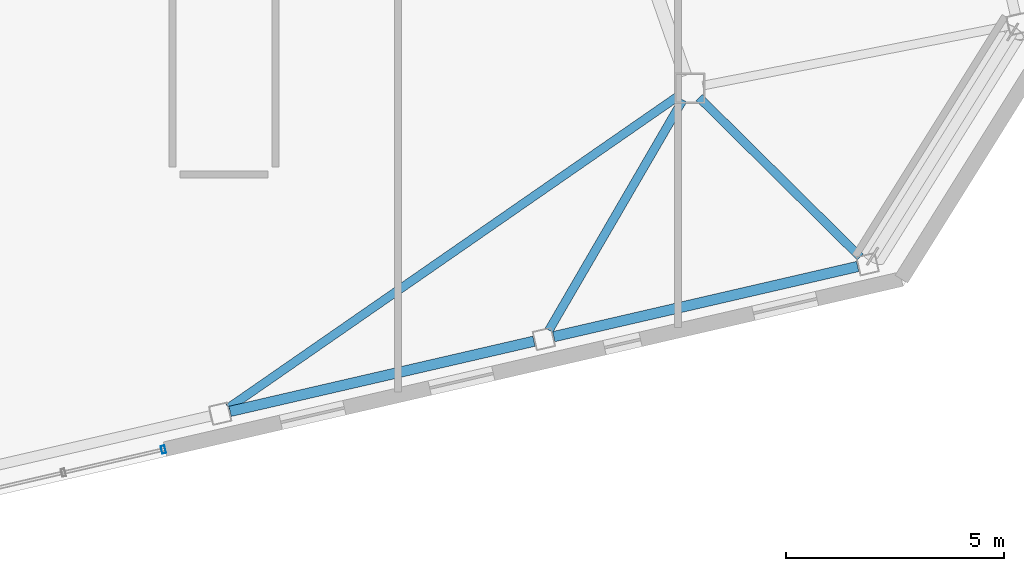
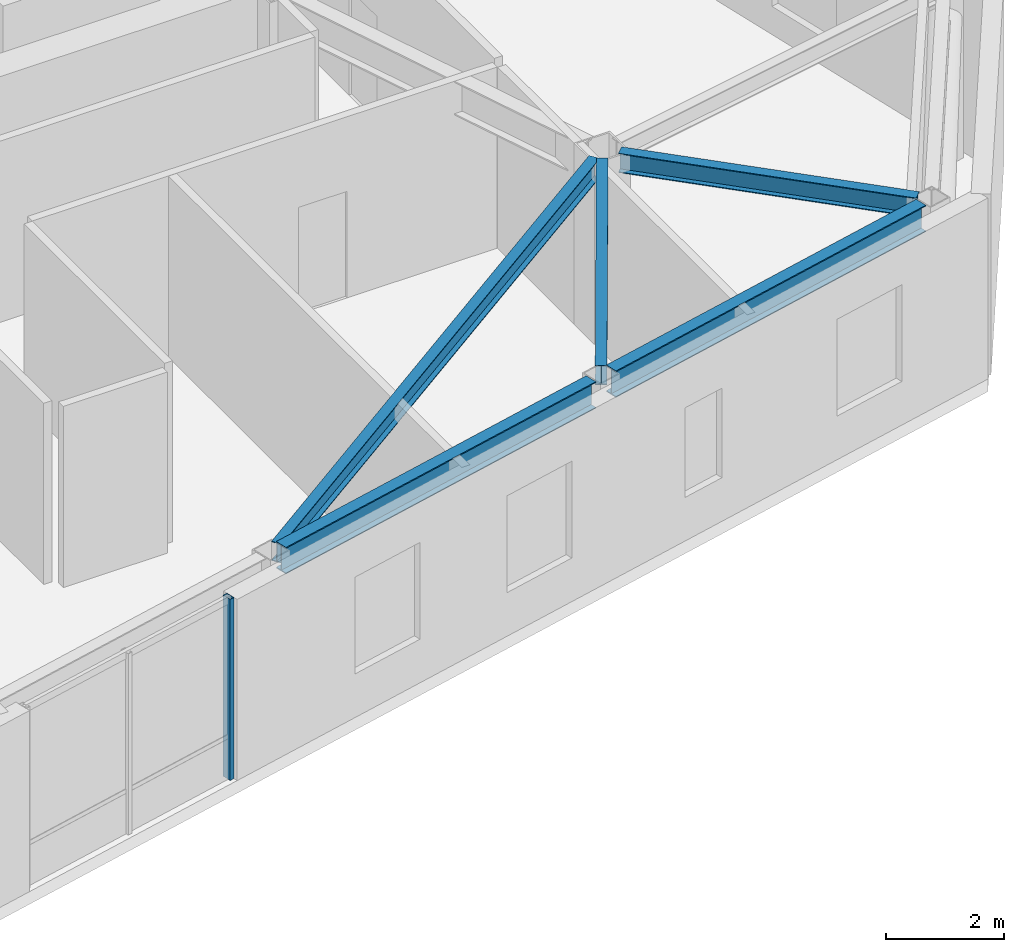
# One storey, part 10 of 23: 5 beams, 1 member, 1 element without a shape of its own.
"""IFC4 building model written with IfcOpenShell, lengths in metres."""

import ifcopenshell
import ifcopenshell.guid

model = None  # the IFC model being written
_history = None  # IfcOwnerHistory: only IFC2X3 demands one
_inside = {}  # id of a spatial element -> (the spatial element, [elements in it])
_under = {}  # id of a project, library or spatial element -> (it, [spatial elements below it])
_declared = {}  # id of a project -> (the project, [libraries it declares])
_typed = {}  # id of a type object -> (the type object, [elements of that type])
_made_of = {}  # id of a material, layer set ... -> (it, [elements and type objects made of it])


def new_model(schema):
    """Start an empty IFC model of exactly this schema.

    Asked for "IFC4X3", IfcOpenShell would pick the latest addendum, in which some entities
    have other attributes; the version numbers below select the first issue.
    IFC2X3 requires an IfcOwnerHistory on every rooted entity: one is made here for all.
    """
    global model, _history
    if schema == "IFC4X3":
        model = ifcopenshell.file(schema_version=(4, 3, 0, 0))
    else:
        model = ifcopenshell.file(schema=schema)
    _inside.clear()
    _under.clear()
    _declared.clear()
    _typed.clear()
    _made_of.clear()
    _history = None
    if model.schema == "IFC2X3":
        org = make("IfcOrganization", Name="unknown")
        user = make(
            "IfcPersonAndOrganization",
            ThePerson=make("IfcPerson", FamilyName="unknown"),
            TheOrganization=org,
        )
        app = make(
            "IfcApplication",
            ApplicationDeveloper=org,
            Version="unknown",
            ApplicationFullName="unknown",
            ApplicationIdentifier="unknown",
        )
        _history = make(
            "IfcOwnerHistory",
            OwningUser=user,
            OwningApplication=app,
            ChangeAction="ADDED",
            CreationDate=0,
        )
    return model


def make(cls, **values):
    """One entity of the class cls with the attributes given. An attribute that is None is left unset."""
    return model.create_entity(
        cls, **{name: value for name, value in values.items() if value is not None}
    )


def rooted(cls, **values):
    """An entity with a GlobalId (a new one), such as an element, a storey or a relation."""
    return make(cls, GlobalId=ifcopenshell.guid.new(), OwnerHistory=_history, **values)


def si_unit(unit_type, name, prefix=None):
    """IfcSIUnit, for example si_unit("LENGTHUNIT", "METRE", prefix="MILLI")."""
    return make("IfcSIUnit", UnitType=unit_type, Prefix=prefix, Name=name)


def assignment(units):
    """IfcUnitAssignment: the units of a project."""
    return None if units is None else make("IfcUnitAssignment", Units=units)


def point(xyz):
    """IfcCartesianPoint."""
    return None if xyz is None else make("IfcCartesianPoint", Coordinates=xyz)


def direction(xyz):
    """IfcDirection."""
    return None if xyz is None else make("IfcDirection", DirectionRatios=xyz)


def frame(location, z_axis=None, x_axis=None):
    """IfcAxis2Placement3D, a coordinate frame: its origin and axes. An axis left out is left unset."""
    return make(
        "IfcAxis2Placement3D",
        Location=point(location),
        Axis=direction(z_axis),
        RefDirection=direction(x_axis),
    )


def frame_2d(location, x_axis=None):
    """IfcAxis2Placement2D, a coordinate frame in the plane: its origin and x axis."""
    return make(
        "IfcAxis2Placement2D", Location=point(location), RefDirection=direction(x_axis)
    )


def origin():
    """The frame at (0, 0, 0) with its axes left unset."""
    return frame((0.0, 0.0, 0.0))


def origin_2d():
    """The frame at (0, 0) in the plane with its x axis left unset."""
    return frame_2d((0.0, 0.0))


def place(relative_to, where):
    """IfcLocalPlacement: puts the frame where relative to a parent placement (None: the world)."""
    return make(
        "IfcLocalPlacement", PlacementRelTo=relative_to, RelativePlacement=where
    )


def context(
    kind, dimensions, precision=None, world=None, true_north=None, identifier=None
):
    """IfcGeometricRepresentationContext, for example the 3D "Model" context."""
    return make(
        "IfcGeometricRepresentationContext",
        ContextIdentifier=identifier,
        ContextType=kind,
        CoordinateSpaceDimension=dimensions,
        Precision=precision,
        WorldCoordinateSystem=world,
        TrueNorth=true_north,
    )


def subcontext(parent, identifier, kind, view, scale=None):
    """IfcGeometricRepresentationSubContext, for example "Body" below "Model"."""
    return make(
        "IfcGeometricRepresentationSubContext",
        ContextIdentifier=identifier,
        ContextType=kind,
        ParentContext=parent,
        TargetScale=scale,
        TargetView=view,
    )


def project(units=None, contexts=None):
    """IfcProject with its units and contexts."""
    return rooted(
        "IfcProject",
        Name="project",
        RepresentationContexts=contexts,
        UnitsInContext=assignment(units),
    )


def spatial(cls, under=None, at=None, **own):
    """A site, building, storey or space (cls), placed at a placement, below another one or the project."""
    s = rooted(cls, ObjectPlacement=at, **own)
    if under is not None:
        _under.setdefault(under.id(), (under, []))[1].append(s)
    return s


def profile(cls, at=None, kind="AREA", **sizes):
    """A parametric profile (cls). Its sizes go by their IFC names, for example OverallWidth=200.0."""
    return make(cls, ProfileType=kind, Position=at, **sizes)


def hollow_rectangle(**sizes):
    """IfcRectangleHollowProfileDef."""
    return profile("IfcRectangleHollowProfileDef", **sizes)


def i_section(**sizes):
    """IfcIShapeProfileDef."""
    return profile("IfcIShapeProfileDef", **sizes)


def extrude(swept, where, along, depth):
    """IfcExtrudedAreaSolid: the profile swept, set in the frame where, extruded along a direction by depth."""
    return make(
        "IfcExtrudedAreaSolid",
        SweptArea=swept,
        Position=where,
        ExtrudedDirection=direction(along),
        Depth=depth,
    )


def shape(context_of_items, identifier, shape_type, items):
    """IfcShapeRepresentation: the items that make up one representation, for example the "Body"."""
    return make(
        "IfcShapeRepresentation",
        ContextOfItems=context_of_items,
        RepresentationIdentifier=identifier,
        RepresentationType=shape_type,
        Items=items,
    )


def material(Name=None, Category=None):
    """IfcMaterial."""
    return make("IfcMaterial", Name=Name, Category=Category)


def layer(
    of_material, thickness, ventilated=None, Name=None, Category=None, Priority=None
):
    """IfcMaterialLayer: one layer of a wall or slab, of a material (None: an air gap)."""
    return make(
        "IfcMaterialLayer",
        Material=of_material,
        LayerThickness=thickness,
        IsVentilated=ventilated,
        Name=Name,
        Category=Category,
        Priority=Priority,
    )


def layer_set(layers, Name=None):
    """IfcMaterialLayerSet."""
    return make("IfcMaterialLayerSet", MaterialLayers=layers, LayerSetName=Name)


def material_profile(
    of_material, cross_section, Name=None, Category=None, Priority=None
):
    """IfcMaterialProfile: a cross section and its material."""
    return make(
        "IfcMaterialProfile",
        Name=Name,
        Material=of_material,
        Profile=cross_section,
        Priority=Priority,
        Category=Category,
    )


def profile_set(profiles, Name=None, composite=None):
    """IfcMaterialProfileSet."""
    return make(
        "IfcMaterialProfileSet",
        Name=Name,
        MaterialProfiles=profiles,
        CompositeProfile=composite,
    )


def made_of(thing, what):
    """Note that an element or type object is made of a material, layer set ...; save() writes the relation."""
    if what is not None:
        _made_of.setdefault(what.id(), (what, []))[1].append(thing)
    return thing


def type_object(cls, material=None, **own):
    """A type object (cls), such as IfcWallType, which elements share."""
    return made_of(rooted(cls, **own), material)


def element(
    cls,
    number,
    at=None,
    inside=None,
    cuts=None,
    type_object=None,
    material=None,
    context=None,
    identifier="Body",
    shape_type=None,
    held_by="IfcProductDefinitionShape",
    body=None,
    shapes=None,
    **own,
):
    """One element of the class cls, such as IfcWall. Its Tag is "e" and its number.

    at: its placement. inside: the storey or other place that contains it. cuts: it is an
    opening in that element (IfcRelVoidsElement). A single representation is given by context,
    identifier, shape_type and body (its items); several are given by shapes. held_by: the class
    of the entity that holds the representations. save() writes the other relations.
    """
    e = rooted(cls, Tag="e%d" % number, ObjectPlacement=at, **own)
    if body is not None:
        shapes = [shape(context, identifier, shape_type, body)]
    if shapes is not None:
        e.Representation = make(held_by, Representations=shapes)
    if inside is not None:
        _inside.setdefault(inside.id(), (inside, []))[1].append(e)
    if cuts is not None:
        rooted(
            "IfcRelVoidsElement", RelatingBuildingElement=cuts, RelatedOpeningElement=e
        )
    if type_object is not None:
        _typed.setdefault(type_object.id(), (type_object, []))[1].append(e)
    return made_of(e, material)


def aggregate(whole, parts):
    """IfcRelAggregates: a whole, such as a stair, and the parts it consists of."""
    return rooted("IfcRelAggregates", RelatingObject=whole, RelatedObjects=parts)


def save(model, path):
    """Write the relations noted so far, then the file.

    IfcRelAggregates (storeys below a building ...), IfcRelContainedInSpatialStructure (elements
    in a storey), IfcRelDefinesByType, IfcRelAssociatesMaterial and IfcRelDeclares: one each for
    every whole, place, type object, material and project.
    """
    for whole, parts in _under.values():
        aggregate(whole, parts)
    for where, things in _inside.values():
        rooted(
            "IfcRelContainedInSpatialStructure",
            RelatedElements=things,
            RelatingStructure=where,
        )
    for kind, things in _typed.values():
        rooted("IfcRelDefinesByType", RelatedObjects=things, RelatingType=kind)
    for what, things in _made_of.values():
        rooted("IfcRelAssociatesMaterial", RelatedObjects=things, RelatingMaterial=what)
    for by, libraries in _declared.values():
        rooted("IfcRelDeclares", RelatingContext=by, RelatedDefinitions=libraries)
    model.write(path)


model = new_model("IFC4")

# Units and contexts
model_context = context("Model", 3, precision=1e-05, world=origin(), true_north=direction((0.0, 1.0)))
body_context = subcontext(model_context, "Body", "Model", "MODEL_VIEW")
ifc_project = project(units=[si_unit("LENGTHUNIT", "METRE"), si_unit("AREAUNIT", "SQUARE_METRE"), si_unit("VOLUMEUNIT", "CUBIC_METRE"), si_unit("PLANEANGLEUNIT", "RADIAN"), si_unit("MASSUNIT", "GRAM", prefix="KILO")], contexts=[model_context])

# Site, building, storey
site_placement = place(None, origin())
site = spatial("IfcSite", under=ifc_project, at=site_placement, CompositionType="ELEMENT")
building_placement = place(site_placement, origin())
building = spatial("IfcBuilding", under=site, at=building_placement, Name="Tavrogorsk Clinical Tower", CompositionType="ELEMENT")
storey_placement = place(building_placement, frame((0.0, 0.0, 293.0)))
storey = spatial("IfcBuildingStorey", under=building, at=storey_placement, Name="L68", CompositionType="ELEMENT", Elevation=293.0)

# Curtain wall, member
ifc_material_1 = material(Name="Anodised aluminium and triple IGU glazing", Category="aluminium")
ifc_layer = layer(ifc_material_1, 0.179931640625)
ifc_layer_set = layer_set([ifc_layer], Name="Anodised aluminium and triple IGU glazing")
curtain_wall_type = type_object("IfcCurtainWallType", Name="CW3_SouthSlot", PredefinedType="NOTDEFINED", material=ifc_layer_set)
curtain_wall_placement = place(storey_placement, origin())
curtain_wall = element("IfcCurtainWall", 1, at=curtain_wall_placement, inside=storey, type_object=curtain_wall_type, Name="L68 Curtain Wall CW-L68-S-SLOT-2", PredefinedType="NOTDEFINED")
ifc_material_2 = material(Name="Anodised aluminium alloy AW-6060", Category="aluminium")
ifc_material_profile_1 = material_profile(ifc_material_2, hollow_rectangle(XDim=0.090087890625, YDim=0.179931640625, WallThickness=0.00634765625, at=origin_2d()), Name="RHS-180x90x6.3")
ifc_profile_set_1 = profile_set([ifc_material_profile_1], Name="Anodised aluminium alloy AW-6060")
member_type = type_object("IfcMemberType", Name="CwMullion_180x90", PredefinedType="MULLION", material=ifc_profile_set_1)
member_placement = place(storey_placement, frame((12.4052734375, -21.504638671875, 0.0), z_axis=(0.0, 0.0, 1.0), x_axis=(0.974370057377, 0.224951086434, 0.0)))
member = element("IfcMember", 2, at=member_placement, type_object=member_type, Name="CW-L68-S-SLOT-2 Mullion 3", PredefinedType="MULLION", context=body_context, shape_type="SweptSolid", body=[
    extrude(hollow_rectangle(XDim=0.090087890625, YDim=0.179931640625, WallThickness=0.00634765625, at=origin_2d()), origin(), (0.0, 0.0, 1.0), 3.739990234375),
])
aggregate(curtain_wall, [member])

# Beams
ifc_material_3 = material(Name="Structural steel S355", Category="steel")
ifc_material_profile_2 = material_profile(ifc_material_3, i_section(OverallWidth=0.199951171875, OverallDepth=0.39990234375, WebThickness=0.010498046875, FlangeThickness=0.01611328125, at=origin_2d()), Name="B-400x200x10.5x16")
ifc_profile_set_2 = profile_set([ifc_material_profile_2], Name="Structural steel S355")
beam_type_1 = type_object("IfcBeamType", Name="FloorBeam_B400", PredefinedType="BEAM", material=ifc_profile_set_2)
beam_1_placement = place(storey_placement, frame((24.245361328125, -13.376708984375, 3.5400390625), z_axis=(-0.821821874963, -0.56974450926, 0.0), x_axis=(0.56974450926, -0.821821874963, 0.0)))
element("IfcBeam", 3, at=beam_1_placement, inside=storey, type_object=beam_type_1, Name="L68 Radial Floor Beam S6", PredefinedType="BEAM", context=body_context, shape_type="SweptSolid", body=[
    extrude(i_section(OverallWidth=0.199951171875, OverallDepth=0.39990234375, WebThickness=0.010498046875, FlangeThickness=0.01611328125, at=origin_2d()), origin(), (0.0, 0.0, 1.0), 12.5849609375),
])
beam_2_placement = place(storey_placement, frame((24.34423828125, -13.468017578125, 3.5400390625), z_axis=(-0.50260105099, -0.864518469174, 0.0), x_axis=(0.864518469174, -0.50260105099, 0.0)))
element("IfcBeam", 4, at=beam_2_placement, inside=storey, type_object=beam_type_1, Name="L68 Radial Floor Beam S7", PredefinedType="BEAM", context=body_context, shape_type="SweptSolid", body=[
    extrude(i_section(OverallWidth=0.199951171875, OverallDepth=0.39990234375, WebThickness=0.010498046875, FlangeThickness=0.01611328125, at=origin_2d()), origin(), (0.0, 0.0, 1.0), 6.12255859375),
])
beam_3_placement = place(storey_placement, frame((24.720458984375, -13.41796875, 3.5400390625), z_axis=(0.710870207436, -0.703323217433, 0.0), x_axis=(0.703323217433, 0.710870207436, 0.0)))
element("IfcBeam", 5, at=beam_3_placement, inside=storey, type_object=beam_type_1, Name="L68 Radial Floor Beam S8", PredefinedType="BEAM", context=body_context, shape_type="SweptSolid", body=[
    extrude(i_section(OverallWidth=0.199951171875, OverallDepth=0.39990234375, WebThickness=0.010498046875, FlangeThickness=0.01611328125, at=origin_2d()), origin(), (0.0, 0.0, 1.0), 5.208251953125),
])
ifc_material_4 = material(Name="Structural steel S390", Category="steel")
ifc_material_profile_3 = material_profile(ifc_material_4, i_section(OverallWidth=0.239990234375, OverallDepth=0.550048828125, WebThickness=0.013916015625, FlangeThickness=0.02197265625, at=origin_2d()), Name="B-550x240x14x22")
ifc_profile_set_3 = profile_set([ifc_material_profile_3], Name="Structural steel S390")
beam_type_2 = type_object("IfcBeamType", Name="SpandrelBeam_B550", PredefinedType="SPANDREL", material=ifc_profile_set_3)
for number, where, z_axis, x_axis, name in (
    (6, (13.938232421875, -20.627197265625, 3.465087890625), (0.974369378592, 0.224954026551, 0.0), (-0.224954026551, 0.974369378592, 0.0), "L68 Perimeter Spandrel S6-S7"),
    (7, (21.376953125, -18.909912109375, 3.465087890625), (0.974369378592, 0.224954026551, 0.0), (-0.224954026551, 0.974369378592, 0.0), "L68 Perimeter Spandrel S7-S8"),
):
    element("IfcBeam", number, at=place(storey_placement, frame(where, z_axis=z_axis, x_axis=x_axis)), inside=storey, type_object=beam_type_2, Name=name, PredefinedType="SPANDREL", context=body_context, shape_type="SweptSolid", body=[
        extrude(i_section(OverallWidth=0.239990234375, OverallDepth=0.550048828125, WebThickness=0.013916015625, FlangeThickness=0.02197265625, at=origin_2d()), origin(), (0.0, 0.0, 1.0), 7.16845703125),
    ])

save(model, "model.ifc")
